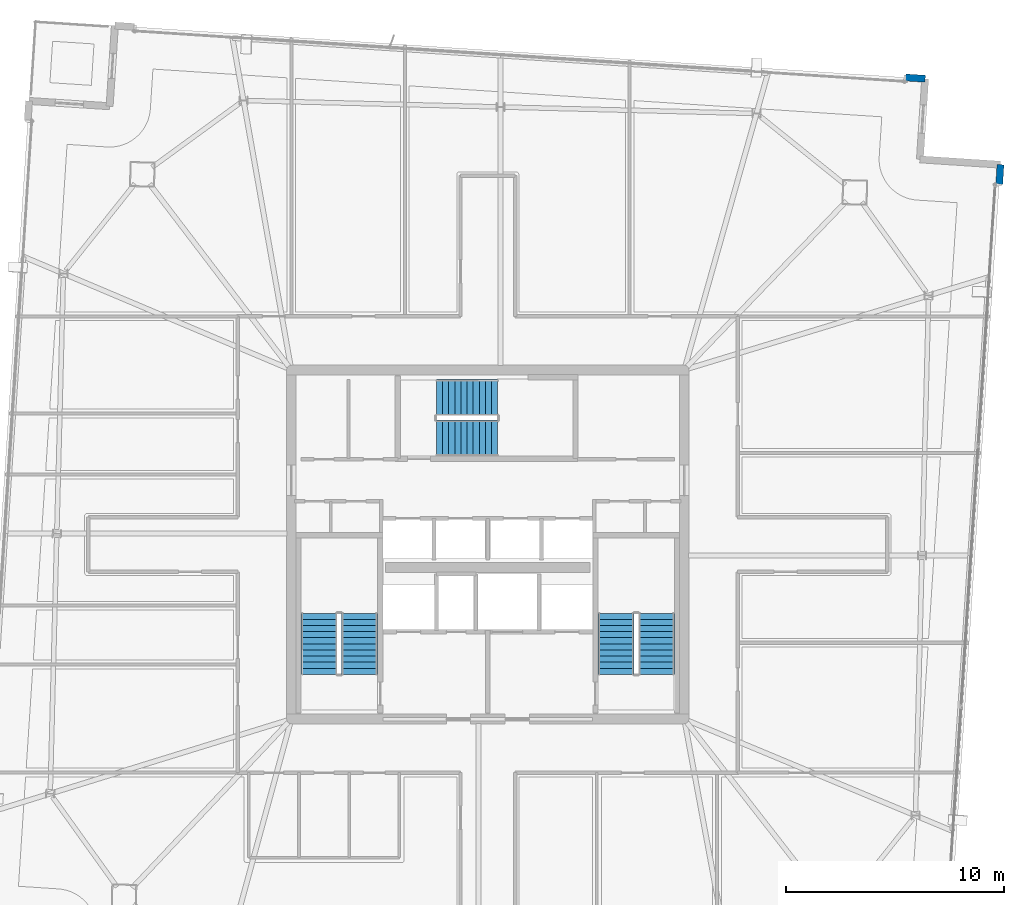
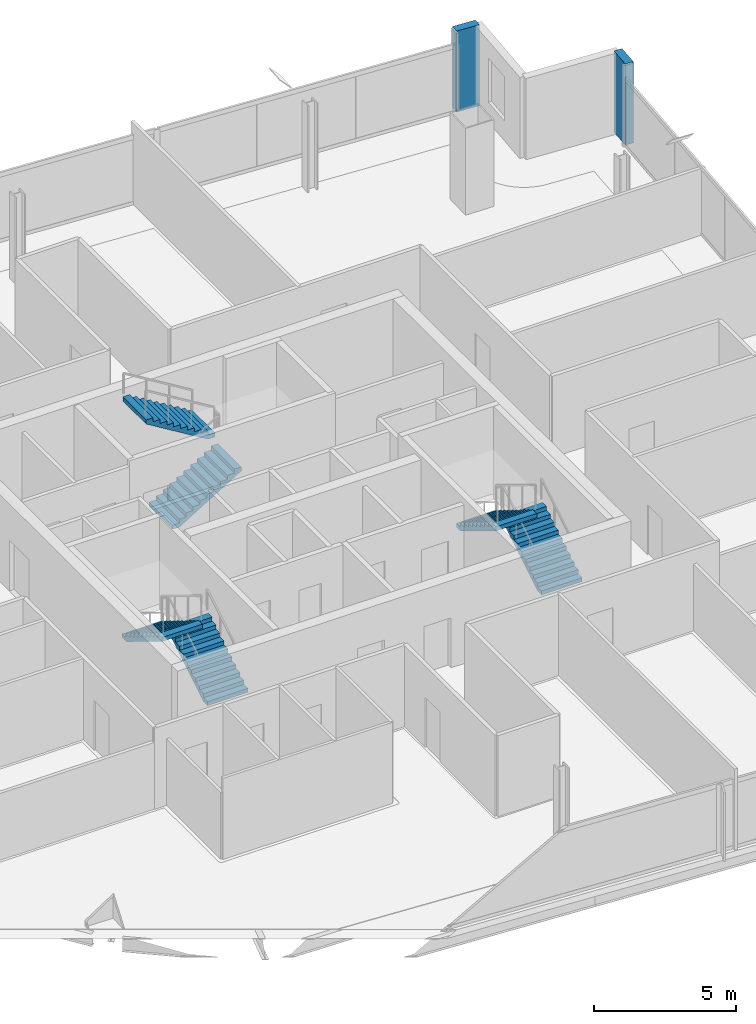
# One storey, part 21 of 24: 6 stair flights, 2 walls, 3 elements without a shape of their own.
"""IFC4 building model written with IfcOpenShell, lengths in metres."""

from ifc_helpers import new_model, si_unit, direction, frame, frame_2d, origin, place, context, subcontext, project, spatial, polyline, rectangle, outline, extrude, material, layer, layer_set, type_object, element, aggregate, save


model = new_model("IFC4")

# Units and contexts
model_context = context("Model", 3, precision=1e-05, world=origin(), true_north=direction((0.0, 1.0)))
body_context = subcontext(model_context, "Body", "Model", "MODEL_VIEW")
ifc_project = project(units=[si_unit("LENGTHUNIT", "METRE"), si_unit("AREAUNIT", "SQUARE_METRE"), si_unit("VOLUMEUNIT", "CUBIC_METRE"), si_unit("PLANEANGLEUNIT", "RADIAN"), si_unit("MASSUNIT", "GRAM", prefix="KILO")], contexts=[model_context])

# Site, building, storey
site_placement = place(None, origin())
site = spatial("IfcSite", under=ifc_project, at=site_placement, CompositionType="ELEMENT")
building_placement = place(site_placement, origin())
building = spatial("IfcBuilding", under=site, at=building_placement, Name="Haldenkirk Collegiate Tower", CompositionType="ELEMENT")
storey_placement = place(building_placement, frame((0.0, 0.0, 317.699951171875)))
storey = spatial("IfcBuildingStorey", under=building, at=storey_placement, Name="L80", CompositionType="ELEMENT", Elevation=317.699951171875)

# Walls
ifc_material_1 = material(Name="Precast concrete f'c 40 MPa", Category="concrete")
ifc_layer = layer(ifc_material_1, 0.320068359375)
ifc_layer_set = layer_set([ifc_layer], Name="Precast concrete f'c 40 MPa")
wall_type = type_object("IfcWallType", Name="WL-EXT-TWR-320", PredefinedType="STANDARD", material=ifc_layer_set)
wall_1_placement = place(storey_placement, frame((59.48828125, 43.40087890625, 0.0), z_axis=(0.0, 0.0, 1.0), x_axis=(-0.065384528081, -0.997860142248, 0.0)))
element("IfcWall", 1, at=wall_1_placement, inside=storey, type_object=wall_type, Name="L80 precast corner pier SL", PredefinedType="STANDARD", context=body_context, shape_type="SweptSolid", body=[
    extrude(rectangle(XDim=0.89990234375, YDim=0.320068359375, at=frame_2d((0.449951171875, 0.0))), origin(), (0.0, 0.0, 1.0), 3.489990234375),
])
wall_2_placement = place(storey_placement, frame((55.14013671875, 47.39404296875, 0.0), z_axis=(0.0, 0.0, 1.0), x_axis=(0.997861301644, -0.065366831665, 0.0)))
element("IfcWall", 2, at=wall_2_placement, inside=storey, type_object=wall_type, Name="L80 precast corner pier ER", PredefinedType="STANDARD", context=body_context, shape_type="SweptSolid", body=[
    extrude(rectangle(XDim=0.900146484375, YDim=0.320068359375, at=frame_2d((0.4501953125, 0.0))), origin(), (0.0, 0.0, 1.0), 3.489990234375),
])

# Stair, stair flights
ifc_material_2 = material(Name="Concrete f'c 40 MPa", Category="concrete")
stair_type = type_object("IfcStairType", Name="STR-DOGLEG-1650", PredefinedType="HALF_TURN_STAIR", material=ifc_material_2)
stair_1_placement = place(storey_placement, origin())
stair_1 = element("IfcStair", 3, at=stair_1_placement, inside=storey, type_object=stair_type, Name="L80 Core Exit Stair ST-1", PredefinedType="HALF_TURN_STAIR")
stair_flight_type = type_object("IfcStairFlightType", Name="STF-FLIGHT-1650", PredefinedType="STRAIGHT", material=ifc_material_2)
stair_flight_1_placement = place(storey_placement, frame((30.125, 20.050048828125, 0.0), z_axis=(0.0, 0.0, 1.0), x_axis=(0.0, 1.0, 0.0)))
stair_flight_1 = element("IfcStairFlight", 4, at=stair_flight_1_placement, type_object=stair_flight_type, Name="ST-1 flight 1", NumberOfRisers=11, NumberOfTreads=10, PredefinedType="STRAIGHT", RiserHeight=0.170454545, TreadLength=0.28, context=body_context, shape_type="SweptSolid", body=[
    extrude(outline(polyline([(0.0, 0.0), (0.0, 0.17041015625), (0.280029296875, 0.17041015625), (0.280029296875, 0.3408203125), (0.56005859375, 0.3408203125), (0.56005859375, 0.511474609375), (0.840087890625, 0.511474609375), (0.840087890625, 0.681884765625), (1.1201171875, 0.681884765625), (1.1201171875, 0.852294921875), (1.39990234375, 0.852294921875), (1.39990234375, 1.022705078125), (1.679931640625, 1.022705078125), (1.679931640625, 1.193115234375), (1.9599609375, 1.193115234375), (1.9599609375, 1.363525390625), (2.239990234375, 1.363525390625), (2.239990234375, 1.5341796875), (2.52001953125, 1.5341796875), (2.52001953125, 1.70458984375), (2.800048828125, 1.70458984375), (2.800048828125, 1.875), (2.800048828125, 1.529052734375), (0.288330078125, 0.0), (0.0, 0.0)])), frame((0.0, 0.824951171875, 0.0), z_axis=(0.0, -1.0, 0.0), x_axis=(1.0, 0.0, 0.0)), (0.0, 0.0, 1.0), 1.64990234375),
])
stair_flight_2_placement = place(storey_placement, frame((28.27490234375, 22.85009765625, 1.875), z_axis=(0.0, 0.0, 1.0), x_axis=(0.0, -1.0, 0.0)))
stair_flight_2 = element("IfcStairFlight", 5, at=stair_flight_2_placement, type_object=stair_flight_type, Name="ST-1 flight 2", NumberOfRisers=11, NumberOfTreads=10, PredefinedType="STRAIGHT", RiserHeight=0.170454545, TreadLength=0.28, context=body_context, shape_type="SweptSolid", body=[
    extrude(outline(polyline([(0.0, 0.0), (0.0, 0.17041015625), (0.280029296875, 0.17041015625), (0.280029296875, 0.3408203125), (0.56005859375, 0.3408203125), (0.56005859375, 0.511474609375), (0.840087890625, 0.511474609375), (0.840087890625, 0.681884765625), (1.1201171875, 0.681884765625), (1.1201171875, 0.852294921875), (1.39990234375, 0.852294921875), (1.39990234375, 1.022705078125), (1.679931640625, 1.022705078125), (1.679931640625, 1.193115234375), (1.9599609375, 1.193115234375), (1.9599609375, 1.363525390625), (2.239990234375, 1.363525390625), (2.239990234375, 1.5341796875), (2.52001953125, 1.5341796875), (2.52001953125, 1.70458984375), (2.800048828125, 1.70458984375), (2.800048828125, 1.875), (2.800048828125, 1.529052734375), (0.288330078125, 0.0), (0.0, 0.0)])), frame((0.0, 0.824951171875, 0.0), z_axis=(0.0, -1.0, 0.0), x_axis=(1.0, 0.0, 0.0)), (0.0, 0.0, 1.0), 1.64990234375),
])
aggregate(stair_1, [stair_flight_1, stair_flight_2])

stair_2_placement = place(storey_placement, origin())
stair_2 = element("IfcStair", 6, at=stair_2_placement, inside=storey, type_object=stair_type, Name="L80 Core Exit Stair ST-2", PredefinedType="HALF_TURN_STAIR")
stair_flight_3_placement = place(storey_placement, frame((43.72509765625, 20.050048828125, 0.0), z_axis=(0.0, 0.0, 1.0), x_axis=(0.0, 1.0, 0.0)))
stair_flight_3 = element("IfcStairFlight", 7, at=stair_flight_3_placement, type_object=stair_flight_type, Name="ST-2 flight 1", NumberOfRisers=11, NumberOfTreads=10, PredefinedType="STRAIGHT", RiserHeight=0.170454545, TreadLength=0.28, context=body_context, shape_type="SweptSolid", body=[
    extrude(outline(polyline([(0.0, 0.0), (0.0, 0.17041015625), (0.280029296875, 0.17041015625), (0.280029296875, 0.3408203125), (0.56005859375, 0.3408203125), (0.56005859375, 0.511474609375), (0.840087890625, 0.511474609375), (0.840087890625, 0.681884765625), (1.1201171875, 0.681884765625), (1.1201171875, 0.852294921875), (1.39990234375, 0.852294921875), (1.39990234375, 1.022705078125), (1.679931640625, 1.022705078125), (1.679931640625, 1.193115234375), (1.9599609375, 1.193115234375), (1.9599609375, 1.363525390625), (2.239990234375, 1.363525390625), (2.239990234375, 1.5341796875), (2.52001953125, 1.5341796875), (2.52001953125, 1.70458984375), (2.800048828125, 1.70458984375), (2.800048828125, 1.875), (2.800048828125, 1.529052734375), (0.288330078125, 0.0), (0.0, 0.0)])), frame((0.0, 0.824951171875, 0.0), z_axis=(0.0, -1.0, 0.0), x_axis=(1.0, 0.0, 0.0)), (0.0, 0.0, 1.0), 1.64990234375),
])
stair_flight_4_placement = place(storey_placement, frame((41.875, 22.85009765625, 1.875), z_axis=(0.0, 0.0, 1.0), x_axis=(0.0, -1.0, 0.0)))
stair_flight_4 = element("IfcStairFlight", 8, at=stair_flight_4_placement, type_object=stair_flight_type, Name="ST-2 flight 2", NumberOfRisers=11, NumberOfTreads=10, PredefinedType="STRAIGHT", RiserHeight=0.170454545, TreadLength=0.28, context=body_context, shape_type="SweptSolid", body=[
    extrude(outline(polyline([(0.0, 0.0), (0.0, 0.17041015625), (0.280029296875, 0.17041015625), (0.280029296875, 0.3408203125), (0.56005859375, 0.3408203125), (0.56005859375, 0.511474609375), (0.840087890625, 0.511474609375), (0.840087890625, 0.681884765625), (1.1201171875, 0.681884765625), (1.1201171875, 0.852294921875), (1.39990234375, 0.852294921875), (1.39990234375, 1.022705078125), (1.679931640625, 1.022705078125), (1.679931640625, 1.193115234375), (1.9599609375, 1.193115234375), (1.9599609375, 1.363525390625), (2.239990234375, 1.363525390625), (2.239990234375, 1.5341796875), (2.52001953125, 1.5341796875), (2.52001953125, 1.70458984375), (2.800048828125, 1.70458984375), (2.800048828125, 1.875), (2.800048828125, 1.529052734375), (0.288330078125, 0.0), (0.0, 0.0)])), frame((0.0, 0.824951171875, 0.0), z_axis=(0.0, -1.0, 0.0), x_axis=(1.0, 0.0, 0.0)), (0.0, 0.0, 1.0), 1.64990234375),
])
aggregate(stair_2, [stair_flight_3, stair_flight_4])

stair_3_placement = place(storey_placement, origin())
stair_3 = element("IfcStair", 9, at=stair_3_placement, inside=storey, type_object=stair_type, Name="L80 Core Exit Stair ST-3", PredefinedType="HALF_TURN_STAIR")
stair_flight_5_placement = place(storey_placement, frame((33.64990234375, 30.875, 0.0), z_axis=(0.0, 0.0, 1.0), x_axis=(1.0, 0.0, 0.0)))
stair_flight_5 = element("IfcStairFlight", 10, at=stair_flight_5_placement, type_object=stair_flight_type, Name="ST-3 flight 1", NumberOfRisers=11, NumberOfTreads=10, PredefinedType="STRAIGHT", RiserHeight=0.170454545, TreadLength=0.28, context=body_context, shape_type="SweptSolid", body=[
    extrude(outline(polyline([(0.0, 0.0), (0.0, 0.17041015625), (0.280029296875, 0.17041015625), (0.280029296875, 0.3408203125), (0.56005859375, 0.3408203125), (0.56005859375, 0.511474609375), (0.840087890625, 0.511474609375), (0.840087890625, 0.681884765625), (1.1201171875, 0.681884765625), (1.1201171875, 0.852294921875), (1.39990234375, 0.852294921875), (1.39990234375, 1.022705078125), (1.679931640625, 1.022705078125), (1.679931640625, 1.193115234375), (1.9599609375, 1.193115234375), (1.9599609375, 1.363525390625), (2.239990234375, 1.363525390625), (2.239990234375, 1.5341796875), (2.52001953125, 1.5341796875), (2.52001953125, 1.70458984375), (2.800048828125, 1.70458984375), (2.800048828125, 1.875), (2.800048828125, 1.529052734375), (0.288330078125, 0.0), (0.0, 0.0)])), frame((0.0, 0.824951171875, 0.0), z_axis=(0.0, -1.0, 0.0), x_axis=(1.0, 0.0, 0.0)), (0.0, 0.0, 1.0), 1.64990234375),
])
stair_flight_6_placement = place(storey_placement, frame((36.449951171875, 32.72509765625, 1.875), z_axis=(0.0, 0.0, 1.0), x_axis=(-1.0, 0.0, 0.0)))
stair_flight_6 = element("IfcStairFlight", 11, at=stair_flight_6_placement, type_object=stair_flight_type, Name="ST-3 flight 2", NumberOfRisers=11, NumberOfTreads=10, PredefinedType="STRAIGHT", RiserHeight=0.170454545, TreadLength=0.28, context=body_context, shape_type="SweptSolid", body=[
    extrude(outline(polyline([(0.0, 0.0), (0.0, 0.17041015625), (0.280029296875, 0.17041015625), (0.280029296875, 0.3408203125), (0.56005859375, 0.3408203125), (0.56005859375, 0.511474609375), (0.840087890625, 0.511474609375), (0.840087890625, 0.681884765625), (1.1201171875, 0.681884765625), (1.1201171875, 0.852294921875), (1.39990234375, 0.852294921875), (1.39990234375, 1.022705078125), (1.679931640625, 1.022705078125), (1.679931640625, 1.193115234375), (1.9599609375, 1.193115234375), (1.9599609375, 1.363525390625), (2.239990234375, 1.363525390625), (2.239990234375, 1.5341796875), (2.52001953125, 1.5341796875), (2.52001953125, 1.70458984375), (2.800048828125, 1.70458984375), (2.800048828125, 1.875), (2.800048828125, 1.529052734375), (0.288330078125, 0.0), (0.0, 0.0)])), frame((0.0, 0.824951171875, 0.0), z_axis=(0.0, -1.0, 0.0), x_axis=(1.0, 0.0, 0.0)), (0.0, 0.0, 1.0), 1.64990234375),
])
aggregate(stair_3, [stair_flight_5, stair_flight_6])

save(model, "model.ifc")
